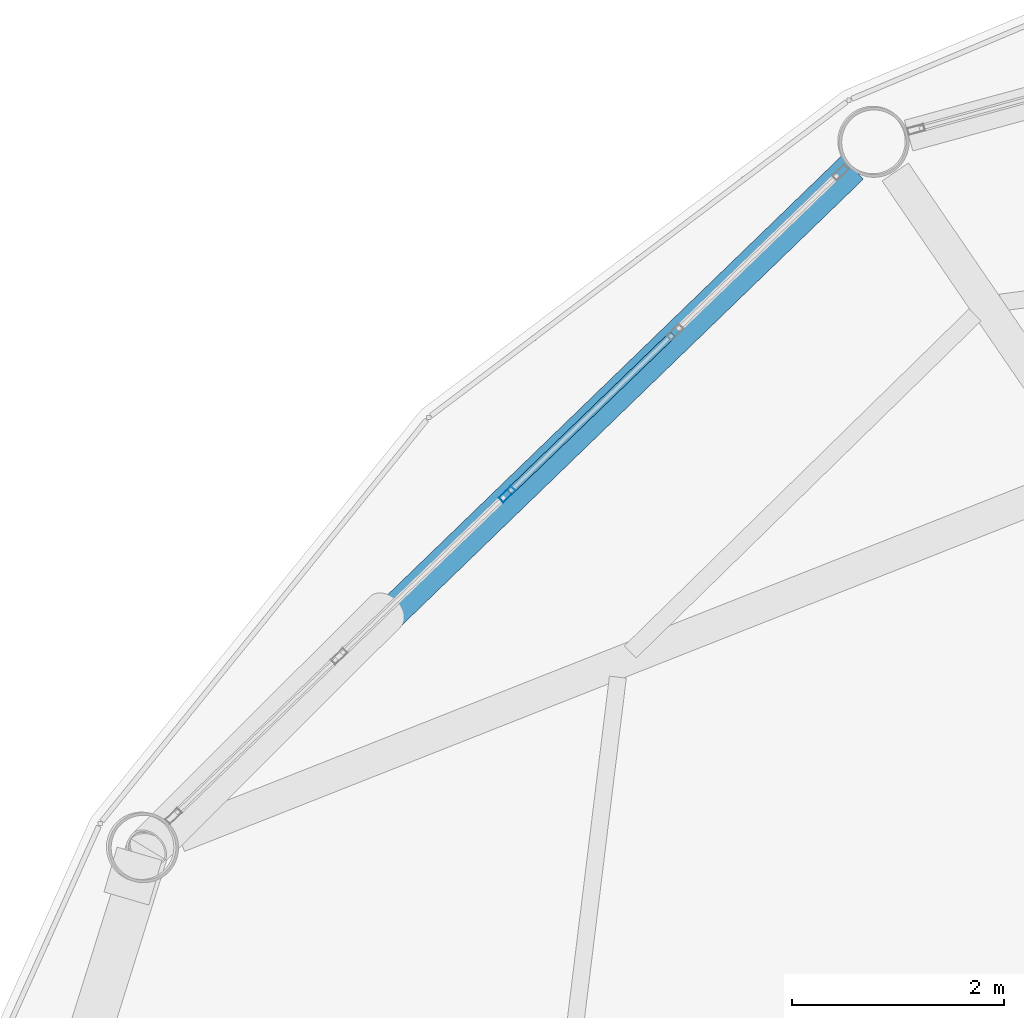
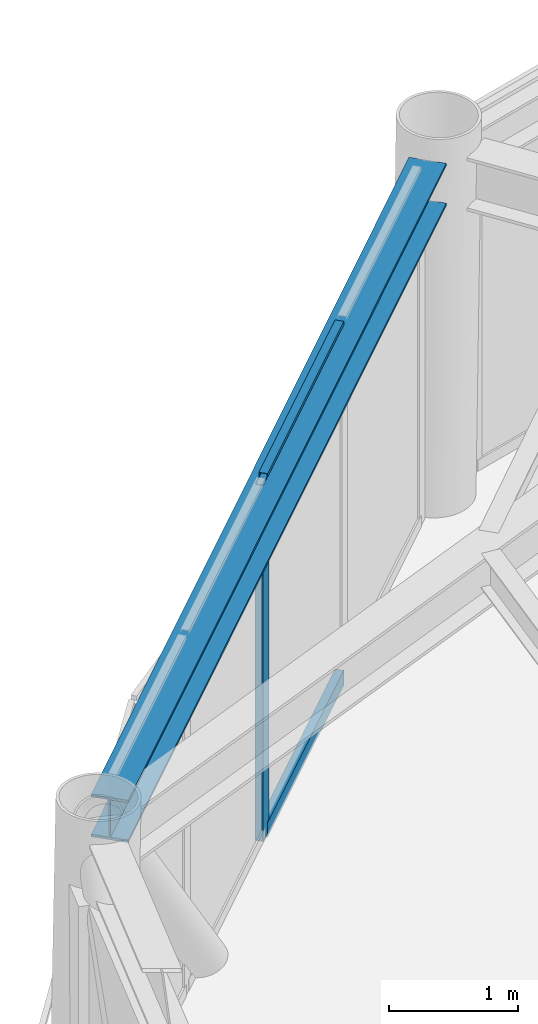
# One storey, part 13 of 26: 3 members, 1 beam, 1 element without a shape of its own.
"""IFC4 building model written with IfcOpenShell, lengths in metres."""

from ifc_helpers import new_model, si_unit, direction, frame, origin, origin_2d, place, context, subcontext, project, spatial, hollow_rectangle, i_section, extrude, material, layer, layer_set, material_profile, profile_set, type_object, element, aggregate, save


model = new_model("IFC4")

# Units and contexts
model_context = context("Model", 3, precision=1e-05, world=origin(), true_north=direction((0.0, 1.0)))
body_context = subcontext(model_context, "Body", "Model", "MODEL_VIEW")
ifc_project = project(units=[si_unit("LENGTHUNIT", "METRE"), si_unit("AREAUNIT", "SQUARE_METRE"), si_unit("VOLUMEUNIT", "CUBIC_METRE"), si_unit("PLANEANGLEUNIT", "RADIAN"), si_unit("MASSUNIT", "GRAM", prefix="KILO")], contexts=[model_context])

# Site, building, storey
site_placement = place(None, origin())
site = spatial("IfcSite", under=ifc_project, at=site_placement, CompositionType="ELEMENT")
building_placement = place(site_placement, origin())
building = spatial("IfcBuilding", under=site, at=building_placement, Name="Varnakorn Sky Granary", CompositionType="ELEMENT")
storey_placement = place(building_placement, frame((0.0, 0.0, 222.0)))
storey = spatial("IfcBuildingStorey", under=building, at=storey_placement, Name="L56", CompositionType="ELEMENT", Elevation=222.0)

# Beam
ifc_material_1 = material(Name="Steel S355JR", Category="steel")
ifc_material_profile_1 = material_profile(ifc_material_1, i_section(OverallWidth=0.300048828125, OverallDepth=0.39990234375, WebThickness=0.013427734375, FlangeThickness=0.02392578125, at=origin_2d()), Name="HE 400 B")
ifc_profile_set_1 = profile_set([ifc_material_profile_1], Name="Steel S355JR")
beam_type = type_object("IfcBeamType", Name="BM-SPD-Z4", PredefinedType="SPANDREL", material=ifc_profile_set_1)
beam_placement = place(storey_placement, frame((-4.760009765625, 15.49169921875, 3.159912109375), z_axis=(-0.718987920349, -0.695022568261, 0.0), x_axis=(0.695022568261, -0.718987920349, 0.0)))
element("IfcBeam", 1, at=beam_placement, inside=storey, type_object=beam_type, Name="Perimeter Spandrel Ring Beam RB05 L56", PredefinedType="SPANDREL", context=body_context, shape_type="SweptSolid", body=[
    extrude(i_section(OverallWidth=0.300048828125, OverallDepth=0.39990234375, WebThickness=0.013427734375, FlangeThickness=0.02392578125, at=origin_2d()), origin(), (0.0, 0.0, 1.0), 8.924072265625),
])

# Curtain wall, members
ifc_material_2 = material(Name="Anodised Bronze Aluminium Alloy 6063-T6", Category="aluminium")
ifc_layer = layer(ifc_material_2, 0.169921875, Name="Anodised Bronze Aluminium Alloy 6063-T6")
ifc_layer_set = layer_set([ifc_layer], Name="Anodised Bronze Aluminium Alloy 6063-T6")
curtain_wall_type = type_object("IfcCurtainWallType", Name="CW-LAB-1", PredefinedType="USERDEFINED", material=ifc_layer_set)
curtain_wall_placement = place(storey_placement, origin())
curtain_wall = element("IfcCurtainWall", 2, at=curtain_wall_placement, inside=storey, type_object=curtain_wall_type, Name="Unitised Curtain Wall CW5 CW-L56-B05", ObjectType="CURTAIN WALL", PredefinedType="USERDEFINED")
ifc_material_profile_2 = material_profile(ifc_material_2, hollow_rectangle(XDim=0.06494140625, YDim=0.159912109375, WallThickness=0.00341796875, at=origin_2d()), Name="ALU MULL 65x160")
ifc_profile_set_2 = profile_set([ifc_material_profile_2], Name="Anodised Bronze Aluminium Alloy 6063-T6")
member_type_1 = type_object("IfcMemberType", Name="CW-LAB-1-MULL", PredefinedType="MULLION", material=ifc_profile_set_2)
member_1_placement = place(storey_placement, frame((-8.013916015625, 12.413818359375, 0.0), z_axis=(0.0, 0.0, 1.0), x_axis=(-0.694404067281, 0.719585291222, 0.0)))
member_1 = element("IfcMember", 3, at=member_1_placement, type_object=member_type_1, Name="CW5 mullion 3", PredefinedType="MULLION", context=body_context, shape_type="SweptSolid", body=[
    extrude(hollow_rectangle(XDim=0.06494140625, YDim=0.159912109375, WallThickness=0.00341796875, at=origin_2d()), origin(), (0.0, 0.0, 1.0), 3.360107421875),
])
ifc_material_profile_3 = material_profile(ifc_material_2, hollow_rectangle(XDim=0.070068359375, YDim=0.139892578125, WallThickness=0.00341796875, at=origin_2d()), Name="ALU TRAN 70x140")
ifc_profile_set_3 = profile_set([ifc_material_profile_3], Name="Anodised Bronze Aluminium Alloy 6063-T6")
member_type_2 = type_object("IfcMemberType", Name="CW-LAB-1-TRAN", PredefinedType="USERDEFINED", material=ifc_profile_set_3)
member_2_placement = place(storey_placement, frame((-7.990478515625, 12.436279296875, 0.034912109375), z_axis=(0.719572850606, 0.694416958801, 0.0), x_axis=(-0.694416958801, 0.719572850606, 0.0)))
member_2 = element("IfcMember", 4, at=member_2_placement, type_object=member_type_2, Name="CW5 transom 3.1", ObjectType="TRANSOM", PredefinedType="USERDEFINED", context=body_context, shape_type="SweptSolid", body=[
    extrude(hollow_rectangle(XDim=0.070068359375, YDim=0.139892578125, WallThickness=0.00341796875, at=origin_2d()), origin(), (0.0, 0.0, 1.0), 2.135009765625),
])
member_3_placement = place(storey_placement, frame((-7.990478515625, 12.436279296875, 3.324951171875), z_axis=(0.719572850606, 0.694416958801, 0.0), x_axis=(-0.694416958801, 0.719572850606, 0.0)))
member_3 = element("IfcMember", 5, at=member_3_placement, type_object=member_type_2, Name="CW5 transom 3.2", ObjectType="TRANSOM", PredefinedType="USERDEFINED", context=body_context, shape_type="SweptSolid", body=[
    extrude(hollow_rectangle(XDim=0.070068359375, YDim=0.139892578125, WallThickness=0.00341796875, at=origin_2d()), origin(), (0.0, 0.0, 1.0), 2.135009765625),
])
aggregate(curtain_wall, [member_1, member_2, member_3])

save(model, "model.ifc")
